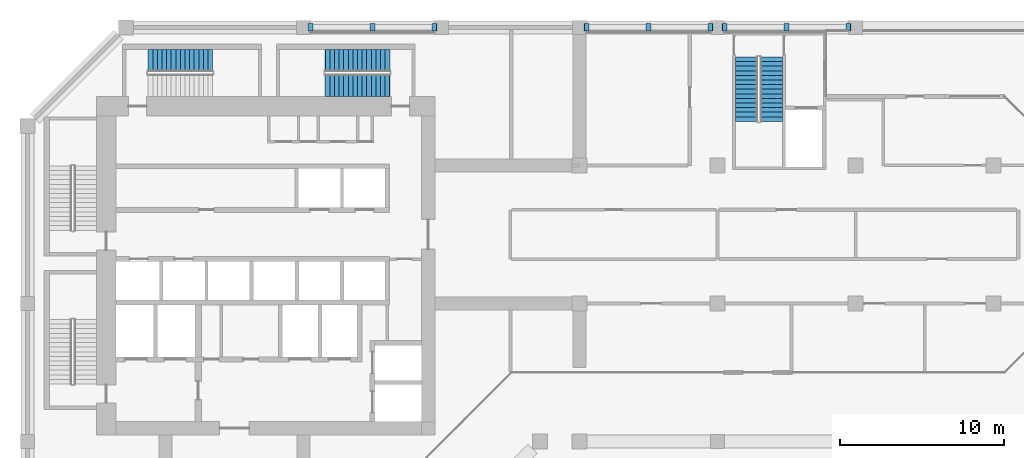
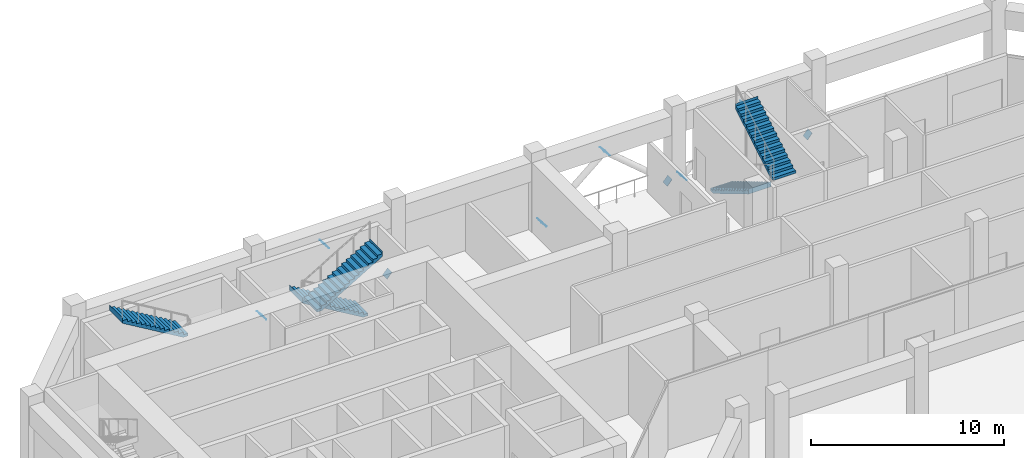
# One storey, part 9 of 14: 9 discrete accessories, 5 stair flights, 3 elements without a shape of their own.
"""IFC4 building model written with IfcOpenShell, lengths in metres."""

from ifc_helpers import new_model, si_unit, direction, frame, origin, origin_2d, place, context, subcontext, project, spatial, polyline, rectangle, outline, extrude, material, material_profile, profile_set, type_object, element, aggregate, save


model = new_model("IFC4")

# Units and contexts
model_context = context("Model", 3, precision=1e-05, world=origin(), true_north=direction((0.0, 1.0)))
body_context = subcontext(model_context, "Body", "Model", "MODEL_VIEW")
ifc_project = project(units=[si_unit("LENGTHUNIT", "METRE"), si_unit("AREAUNIT", "SQUARE_METRE"), si_unit("VOLUMEUNIT", "CUBIC_METRE"), si_unit("PLANEANGLEUNIT", "RADIAN"), si_unit("MASSUNIT", "GRAM", prefix="KILO")], contexts=[model_context])

# Site, building, storey
site_placement = place(None, origin())
site = spatial("IfcSite", under=ifc_project, at=site_placement, CompositionType="ELEMENT")
building_placement = place(site_placement, origin())
building = spatial("IfcBuilding", under=site, at=building_placement, Name="Kawkab Arch Medical Tower", CompositionType="ELEMENT")
storey_placement = place(building_placement, frame((0.0, 0.0, 213.0)))
storey = spatial("IfcBuildingStorey", under=building, at=storey_placement, Name="L49", CompositionType="ELEMENT", Elevation=213.0)

# Stair, stair flight
ifc_material_1 = material(Name="Concrete C40/50", Category="concrete")
stair_type = type_object("IfcStairType", Name="Exit stair 1350", PredefinedType="HALF_TURN_STAIR", material=ifc_material_1)
placement = place(storey_placement, origin())
stair_1 = element("IfcStair", 1, at=placement, inside=storey, type_object=stair_type, Name="L49 Exit stair ST3", PredefinedType="HALF_TURN_STAIR")
ifc_material_2 = material(Name="Concrete C40/50", Category="concrete")
stair_flight_type = type_object("IfcStairFlightType", Name="Exit stair flight 1350", PredefinedType="STRAIGHT", material=ifc_material_2)
stair_flight_1_placement = place(storey_placement, frame((11.27001953125, -2.02490234375, 2.5), z_axis=(0.0, 0.0, 1.0), x_axis=(-1.0, 0.0, 0.0)))
stair_flight_1 = element("IfcStairFlight", 2, at=stair_flight_1_placement, type_object=stair_flight_type, Name="ST3 flight 2", NumberOfRisers=15, NumberOfTreads=14, PredefinedType="STRAIGHT", RiserHeight=0.166666667, TreadLength=0.28, context=body_context, shape_type="SweptSolid", body=[
    extrude(outline(polyline([(-0.0029296875, 0.0), (-0.0029296875, 0.166748046875), (0.0, 0.166748046875), (0.280029296875, 0.166748046875), (0.280029296875, 0.333251953125), (0.56005859375, 0.333251953125), (0.56005859375, 0.5), (0.840087890625, 0.5), (0.840087890625, 0.666748046875), (1.1201171875, 0.666748046875), (1.1201171875, 0.833251953125), (1.39990234375, 0.833251953125), (1.39990234375, 1.0), (1.679931640625, 1.0), (1.679931640625, 1.166748046875), (1.9599609375, 1.166748046875), (1.9599609375, 1.333251953125), (2.239990234375, 1.333251953125), (2.239990234375, 1.5), (2.52001953125, 1.5), (2.52001953125, 1.666748046875), (2.800048828125, 1.666748046875), (2.800048828125, 1.833251953125), (3.080078125, 1.833251953125), (3.080078125, 2.0), (3.360107421875, 2.0), (3.360107421875, 2.166748046875), (3.639892578125, 2.166748046875), (3.639892578125, 2.333251953125), (3.919921875, 2.333251953125), (3.919921875, 2.5), (3.923095703125, 2.5), (3.923095703125, 2.158935546875), (3.919921875, 2.158935546875), (0.29296875, 0.0), (-0.0029296875, 0.0)])), frame((0.0, 0.675048828125, 0.0), z_axis=(0.0, -1.0, 0.0), x_axis=(1.0, 0.0, 0.0)), (0.0, 0.0, 1.0), 1.35009765625),
])
aggregate(stair_1, [stair_flight_1])

# Stair, stair flights
stair_2 = element("IfcStair", 3, at=placement, inside=storey, type_object=stair_type, Name="L49 Exit stair ST4", PredefinedType="HALF_TURN_STAIR")
stair_flight_2_placement = place(storey_placement, frame((22.050048828125, -2.02490234375, 0.0), z_axis=(0.0, 0.0, 1.0), x_axis=(-1.0, 0.0, 0.0)))
stair_flight_2 = element("IfcStairFlight", 4, at=stair_flight_2_placement, type_object=stair_flight_type, Name="ST4 flight 1", NumberOfRisers=15, NumberOfTreads=14, PredefinedType="STRAIGHT", RiserHeight=0.166666667, TreadLength=0.28, context=body_context, shape_type="SweptSolid", body=[
    extrude(outline(polyline([(-0.0029296875, 0.0), (-0.0029296875, 0.166748046875), (0.0, 0.166748046875), (0.280029296875, 0.166748046875), (0.280029296875, 0.333251953125), (0.56005859375, 0.333251953125), (0.56005859375, 0.5), (0.840087890625, 0.5), (0.840087890625, 0.666748046875), (1.1201171875, 0.666748046875), (1.1201171875, 0.833251953125), (1.39990234375, 0.833251953125), (1.39990234375, 1.0), (1.679931640625, 1.0), (1.679931640625, 1.166748046875), (1.9599609375, 1.166748046875), (1.9599609375, 1.333251953125), (2.239990234375, 1.333251953125), (2.239990234375, 1.5), (2.52001953125, 1.5), (2.52001953125, 1.666748046875), (2.800048828125, 1.666748046875), (2.800048828125, 1.833251953125), (3.080078125, 1.833251953125), (3.080078125, 2.0), (3.360107421875, 2.0), (3.360107421875, 2.166748046875), (3.639892578125, 2.166748046875), (3.639892578125, 2.333251953125), (3.919921875, 2.333251953125), (3.919921875, 2.5), (3.923095703125, 2.5), (3.923095703125, 2.158935546875), (3.919921875, 2.158935546875), (0.29296875, 0.0), (-0.0029296875, 0.0)])), frame((0.0, 0.675048828125, 0.0), z_axis=(0.0, -1.0, 0.0), x_axis=(1.0, 0.0, 0.0)), (0.0, 0.0, 1.0), 1.35009765625),
])
stair_flight_3_placement = place(storey_placement, frame((18.1298828125, -3.52490234375, 2.5), z_axis=(0.0, 0.0, 1.0), x_axis=(1.0, 0.0, 0.0)))
stair_flight_3 = element("IfcStairFlight", 5, at=stair_flight_3_placement, type_object=stair_flight_type, Name="ST4 flight 2", NumberOfRisers=15, NumberOfTreads=14, PredefinedType="STRAIGHT", RiserHeight=0.166666667, TreadLength=0.28, context=body_context, shape_type="SweptSolid", body=[
    extrude(outline(polyline([(-0.0029296875, 0.0), (-0.0029296875, 0.166748046875), (0.0, 0.166748046875), (0.280029296875, 0.166748046875), (0.280029296875, 0.333251953125), (0.56005859375, 0.333251953125), (0.56005859375, 0.5), (0.840087890625, 0.5), (0.840087890625, 0.666748046875), (1.1201171875, 0.666748046875), (1.1201171875, 0.833251953125), (1.39990234375, 0.833251953125), (1.39990234375, 1.0), (1.679931640625, 1.0), (1.679931640625, 1.166748046875), (1.9599609375, 1.166748046875), (1.9599609375, 1.333251953125), (2.239990234375, 1.333251953125), (2.239990234375, 1.5), (2.52001953125, 1.5), (2.52001953125, 1.666748046875), (2.800048828125, 1.666748046875), (2.800048828125, 1.833251953125), (3.080078125, 1.833251953125), (3.080078125, 2.0), (3.360107421875, 2.0), (3.360107421875, 2.166748046875), (3.639892578125, 2.166748046875), (3.639892578125, 2.333251953125), (3.919921875, 2.333251953125), (3.919921875, 2.5), (3.923095703125, 2.5), (3.923095703125, 2.158935546875), (3.919921875, 2.158935546875), (0.29296875, 0.0), (-0.0029296875, 0.0)])), frame((0.0, 0.675048828125, 0.0), z_axis=(0.0, -1.0, 0.0), x_axis=(1.0, 0.0, 0.0)), (0.0, 0.0, 1.0), 1.35009765625),
])
aggregate(stair_2, [stair_flight_2, stair_flight_3])

stair_3 = element("IfcStair", 6, at=placement, inside=storey, type_object=stair_type, Name="L49 Exit stair ST5", PredefinedType="HALF_TURN_STAIR")
stair_flight_4_placement = place(storey_placement, frame((43.77490234375, -1.800048828125, 0.0), z_axis=(0.0, 0.0, 1.0), x_axis=(0.0, -1.0, 0.0)))
stair_flight_4 = element("IfcStairFlight", 7, at=stair_flight_4_placement, type_object=stair_flight_type, Name="ST5 flight 1", NumberOfRisers=15, NumberOfTreads=14, PredefinedType="STRAIGHT", RiserHeight=0.166666667, TreadLength=0.28, context=body_context, shape_type="SweptSolid", body=[
    extrude(outline(polyline([(-0.0029296875, 0.0), (-0.0029296875, 0.166748046875), (0.0, 0.166748046875), (0.280029296875, 0.166748046875), (0.280029296875, 0.333251953125), (0.56005859375, 0.333251953125), (0.56005859375, 0.5), (0.840087890625, 0.5), (0.840087890625, 0.666748046875), (1.1201171875, 0.666748046875), (1.1201171875, 0.833251953125), (1.39990234375, 0.833251953125), (1.39990234375, 1.0), (1.679931640625, 1.0), (1.679931640625, 1.166748046875), (1.9599609375, 1.166748046875), (1.9599609375, 1.333251953125), (2.239990234375, 1.333251953125), (2.239990234375, 1.5), (2.52001953125, 1.5), (2.52001953125, 1.666748046875), (2.800048828125, 1.666748046875), (2.800048828125, 1.833251953125), (3.080078125, 1.833251953125), (3.080078125, 2.0), (3.360107421875, 2.0), (3.360107421875, 2.166748046875), (3.639892578125, 2.166748046875), (3.639892578125, 2.333251953125), (3.919921875, 2.333251953125), (3.919921875, 2.5), (3.923095703125, 2.5), (3.923095703125, 2.158935546875), (3.919921875, 2.158935546875), (0.29296875, 0.0), (-0.0029296875, 0.0)])), frame((0.0, 0.675048828125, 0.0), z_axis=(0.0, -1.0, 0.0), x_axis=(1.0, 0.0, 0.0)), (0.0, 0.0, 1.0), 1.35009765625),
])
stair_flight_5_placement = place(storey_placement, frame((45.27490234375, -5.719970703125, 2.5), z_axis=(0.0, 0.0, 1.0), x_axis=(0.0, 1.0, 0.0)))
stair_flight_5 = element("IfcStairFlight", 8, at=stair_flight_5_placement, type_object=stair_flight_type, Name="ST5 flight 2", NumberOfRisers=15, NumberOfTreads=14, PredefinedType="STRAIGHT", RiserHeight=0.166666667, TreadLength=0.28, context=body_context, shape_type="SweptSolid", body=[
    extrude(outline(polyline([(-0.0029296875, 0.0), (-0.0029296875, 0.166748046875), (0.0, 0.166748046875), (0.280029296875, 0.166748046875), (0.280029296875, 0.333251953125), (0.56005859375, 0.333251953125), (0.56005859375, 0.5), (0.840087890625, 0.5), (0.840087890625, 0.666748046875), (1.1201171875, 0.666748046875), (1.1201171875, 0.833251953125), (1.39990234375, 0.833251953125), (1.39990234375, 1.0), (1.679931640625, 1.0), (1.679931640625, 1.166748046875), (1.9599609375, 1.166748046875), (1.9599609375, 1.333251953125), (2.239990234375, 1.333251953125), (2.239990234375, 1.5), (2.52001953125, 1.5), (2.52001953125, 1.666748046875), (2.800048828125, 1.666748046875), (2.800048828125, 1.833251953125), (3.080078125, 1.833251953125), (3.080078125, 2.0), (3.360107421875, 2.0), (3.360107421875, 2.166748046875), (3.639892578125, 2.166748046875), (3.639892578125, 2.333251953125), (3.919921875, 2.333251953125), (3.919921875, 2.5), (3.923095703125, 2.5), (3.923095703125, 2.158935546875), (3.919921875, 2.158935546875), (0.29296875, 0.0), (-0.0029296875, 0.0)])), frame((0.0, 0.675048828125, 0.0), z_axis=(0.0, -1.0, 0.0), x_axis=(1.0, 0.0, 0.0)), (0.0, 0.0, 1.0), 1.35009765625),
])
aggregate(stair_3, [stair_flight_4, stair_flight_5])

# Discrete accessories
ifc_material_3 = material(Name="Steel S355", Category="steel")
ifc_material_profile = material_profile(ifc_material_3, rectangle(XDim=0.4560546875, YDim=0.4560546875, at=origin_2d()), Name="End plate 456 x 20")
ifc_profile_set = profile_set([ifc_material_profile], Name="Steel S355")
discrete_accessory_type = type_object("IfcDiscreteAccessoryType", Name="End plate 456 x 20", PredefinedType="ANCHORPLATE", material=ifc_profile_set)
for number, where, z_axis, x_axis, name in (
    (9, (20.992431640625, 0.0, 3.2646484375), (0.760121344352, 0.0, 0.649781149204), (0.0, 1.0, 0.0), "End plate BT4"),
    (10, (37.79248046875, 0.0, 3.2646484375), (0.760121344352, 0.0, 0.649781149204), (0.0, 1.0, 0.0), "End plate BT4"),
    (11, (46.1923828125, 0.0, 3.2646484375), (0.760121344352, 0.0, 0.649781149204), (0.0, 1.0, 0.0), "End plate BT4"),
    (12, (17.240234375, 0.0, 0.083740234375), (-0.760121344352, 0.0, -0.649781149204), (0.0, -1.0, 0.0), "End plate BT4"),
    (13, (24.759765625, 0.0, 0.083740234375), (0.760121344352, 0.0, -0.649781149204), (0.0, 1.0, 0.0), "End plate BT4"),
    (14, (34.040283203125, 0.0, 0.083740234375), (-0.765226087432, 0.0, -0.643761629109), (0.0, -1.0, 0.0), "End plate BT4"),
    (15, (41.559814453125, 0.0, 0.083740234375), (0.760121344352, 0.0, -0.649781149204), (0.0, 1.0, 0.0), "End plate BT4"),
    (16, (42.440185546875, 0.0, 0.083740234375), (-0.760121344352, 0.0, -0.649781149204), (0.0, -1.0, 0.0), "End plate BT4"),
    (17, (49.959716796875, 0.0, 0.083740234375), (0.765226087432, 0.0, -0.643761629109), (0.0, 1.0, 0.0), "End plate BT4"),
):
    element("IfcDiscreteAccessory", number, at=place(storey_placement, frame(where, z_axis=z_axis, x_axis=x_axis)), inside=storey, type_object=discrete_accessory_type, Name=name, PredefinedType="ANCHORPLATE", context=body_context, shape_type="SweptSolid", body=[
        extrude(rectangle(XDim=0.4560546875, YDim=0.4560546875, at=origin_2d()), origin(), (0.0, 0.0, 1.0), 0.02001953125),
    ])

save(model, "model.ifc")
